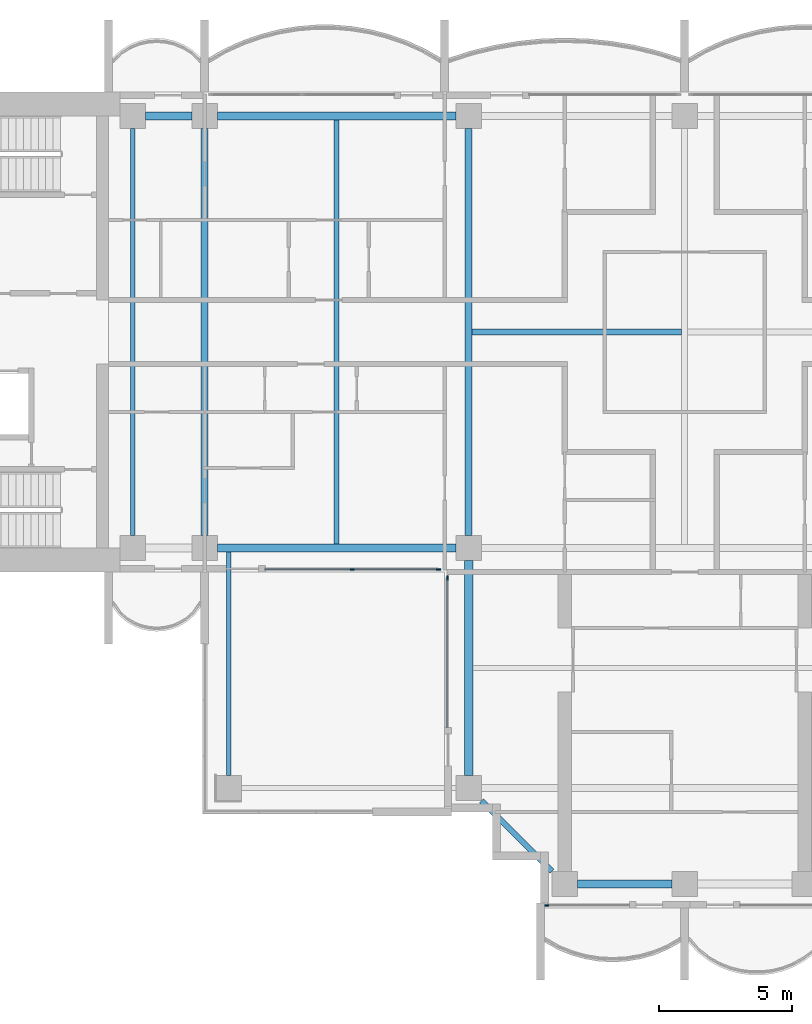
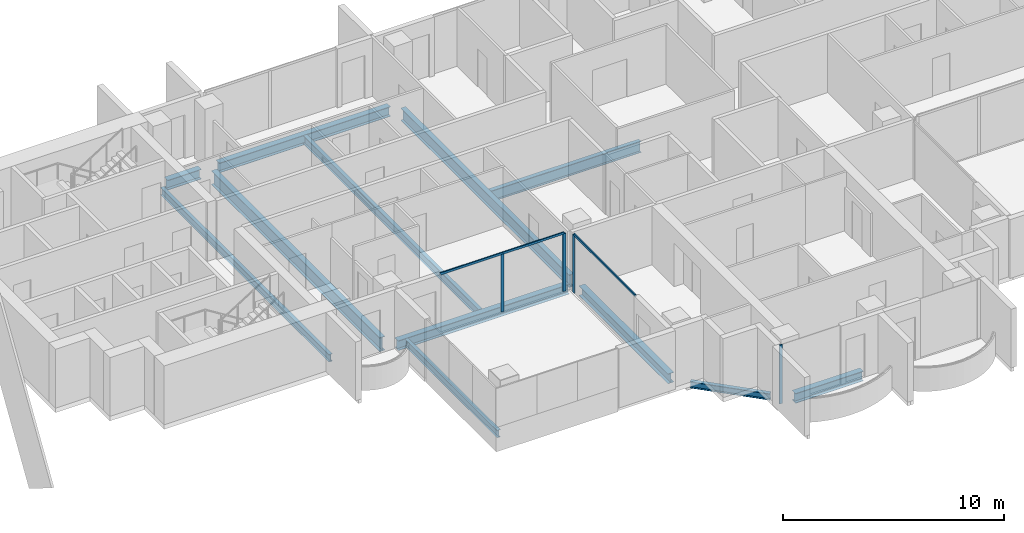
# One storey, part 2 of 17: 12 beams, 6 members, 3 elements without a shape of their own.
"""IFC4 building model written with IfcOpenShell, lengths in metres."""

from ifc_helpers import new_model, si_unit, direction, frame, origin, origin_2d, place, context, subcontext, project, spatial, rectangle, i_section, extrude, material, material_profile, profile_set, type_object, element, aggregate, save


model = new_model("IFC4")

# Units and contexts
model_context = context("Model", 3, precision=1e-05, world=origin(), true_north=direction((0.0, 1.0)))
body_context = subcontext(model_context, "Body", "Model", "MODEL_VIEW")
ifc_project = project(units=[si_unit("LENGTHUNIT", "METRE"), si_unit("AREAUNIT", "SQUARE_METRE"), si_unit("VOLUMEUNIT", "CUBIC_METRE"), si_unit("PLANEANGLEUNIT", "RADIAN"), si_unit("MASSUNIT", "GRAM", prefix="KILO")], contexts=[model_context])

# Site, building, storey
site_placement = place(None, origin())
site = spatial("IfcSite", under=ifc_project, at=site_placement, CompositionType="ELEMENT")
building_placement = place(site_placement, origin())
building = spatial("IfcBuilding", under=site, at=building_placement, Name="Perihelion Cross Residences", CompositionType="ELEMENT")
storey_placement = place(building_placement, frame((0.0, 0.0, 205.10009765625)))
storey = spatial("IfcBuildingStorey", under=building, at=storey_placement, Name="L51", CompositionType="ELEMENT", Elevation=205.10009765625)

# Curtain wall, members
ifc_material_1 = material(Name="Bronze anodised aluminium, tinted glazing", Category="aluminium")
curtain_wall_type = type_object("IfcCurtainWallType", Name="CW1", PredefinedType="NOTDEFINED", material=ifc_material_1)
curtain_wall_1_placement = place(storey_placement, origin())
curtain_wall_1 = element("IfcCurtainWall", 1, at=curtain_wall_1_placement, inside=storey, type_object=curtain_wall_type, Name="Curtain wall CW1 L51 west side south bay 2", PredefinedType="NOTDEFINED")
ifc_material_2 = material(Name="Bronze anodised aluminium", Category="aluminium")
ifc_material_profile_1 = material_profile(ifc_material_2, rectangle(XDim=0.06005859375, YDim=0.159912109375, at=origin_2d()), Name="CW1 mullion")
ifc_profile_set_1 = profile_set([ifc_material_profile_1], Name="Bronze anodised aluminium")
member_type_1 = type_object("IfcMemberType", Name="CW1 mullion", PredefinedType="MULLION", material=ifc_profile_set_1)
member_1_placement = place(storey_placement, frame((-12.46240234375, -8.89990234375, 0.0), z_axis=(0.0, 0.0, 1.0), x_axis=(0.0, 1.0, 0.0)))
member_1 = element("IfcMember", 2, at=member_1_placement, type_object=member_type_1, Name="CW1 mullion 2", PredefinedType="MULLION", context=body_context, shape_type="SweptSolid", body=[
    extrude(rectangle(XDim=0.06005859375, YDim=0.159912109375, at=origin_2d()), origin(), (0.0, 0.0, 1.0), 3.18994140625),
])
member_2_placement = place(storey_placement, frame((-9.22998046875, -8.89990234375, 0.0), z_axis=(0.0, 0.0, 1.0), x_axis=(0.0, 1.0, 0.0)))
member_2 = element("IfcMember", 3, at=member_2_placement, type_object=member_type_1, Name="CW1 mullion 3", PredefinedType="MULLION", context=body_context, shape_type="SweptSolid", body=[
    extrude(rectangle(XDim=0.06005859375, YDim=0.159912109375, at=origin_2d()), origin(), (0.0, 0.0, 1.0), 3.18994140625),
])

# Curtain wall, member
curtain_wall_2_placement = place(storey_placement, origin())
curtain_wall_2 = element("IfcCurtainWall", 4, at=curtain_wall_2_placement, inside=storey, type_object=curtain_wall_type, Name="Curtain wall CW1 L51 south side west bay 1", PredefinedType="NOTDEFINED")
member_3_placement = place(storey_placement, frame((-8.89990234375, -9.22998046875, 0.0), z_axis=(0.0, 0.0, 1.0), x_axis=(1.0, 0.0, 0.0)))
member_3 = element("IfcMember", 5, at=member_3_placement, type_object=member_type_1, Name="CW1 mullion 1", PredefinedType="MULLION", context=body_context, shape_type="SweptSolid", body=[
    extrude(rectangle(XDim=0.06005859375, YDim=0.159912109375, at=origin_2d()), origin(), (0.0, 0.0, 1.0), 3.18994140625),
])

curtain_wall_3_placement = place(storey_placement, origin())
curtain_wall_3 = element("IfcCurtainWall", 6, at=curtain_wall_3_placement, inside=storey, type_object=curtain_wall_type, Name="Curtain wall CW1 L51 south tip south bay 1", PredefinedType="NOTDEFINED")
member_4_placement = place(storey_placement, frame((-5.169921875, -21.5, 0.0), z_axis=(0.0, 0.0, 1.0), x_axis=(0.0, 1.0, 0.0)))
member_4 = element("IfcMember", 7, at=member_4_placement, type_object=member_type_1, Name="CW1 mullion 1", PredefinedType="MULLION", context=body_context, shape_type="SweptSolid", body=[
    extrude(rectangle(XDim=0.06005859375, YDim=0.159912109375, at=origin_2d()), origin(), (0.0, 0.0, 1.0), 3.25),
])
aggregate(curtain_wall_3, [member_4])

# Member
ifc_material_3 = material(Name="Bronze anodised aluminium", Category="aluminium")
ifc_material_profile_2 = material_profile(ifc_material_3, rectangle(XDim=0.06005859375, YDim=0.1201171875, at=origin_2d()), Name="CW1 transom")
ifc_profile_set_2 = profile_set([ifc_material_profile_2], Name="Bronze anodised aluminium")
member_type_2 = type_object("IfcMemberType", Name="CW1 transom", PredefinedType="USERDEFINED", material=ifc_profile_set_2)
member_5_placement = place(storey_placement, frame((-15.72509765625, -8.89990234375, 3.219970703125), z_axis=(1.0, 0.0, 0.0), x_axis=(0.0, 1.0, 0.0)))
member_5 = element("IfcMember", 8, at=member_5_placement, type_object=member_type_2, Name="CW1 head transom", ObjectType="TRANSOM", PredefinedType="USERDEFINED", context=body_context, shape_type="SweptSolid", body=[
    extrude(rectangle(XDim=0.06005859375, YDim=0.1201171875, at=origin_2d()), origin(), (0.0, 0.0, 1.0), 6.4951171875),
])

aggregate(curtain_wall_1, [member_1, member_2, member_5])

member_6_placement = place(storey_placement, frame((-8.89990234375, -9.22998046875, 3.219970703125), z_axis=(0.0, -1.0, 0.0), x_axis=(1.0, 0.0, 0.0)))
member_6 = element("IfcMember", 9, at=member_6_placement, type_object=member_type_2, Name="CW1 head transom", ObjectType="TRANSOM", PredefinedType="USERDEFINED", context=body_context, shape_type="SweptSolid", body=[
    extrude(rectangle(XDim=0.06005859375, YDim=0.1201171875, at=origin_2d()), origin(), (0.0, 0.0, 1.0), 5.594970703125),
])

aggregate(curtain_wall_2, [member_3, member_6])

# Beams
ifc_material_4 = material(Name="Steel S355", Category="steel")
ifc_material_profile_3 = material_profile(ifc_material_4, i_section(OverallWidth=0.177978515625, OverallDepth=0.406005859375, WebThickness=0.0078125, FlangeThickness=0.0126953125, at=origin_2d()), Name="W410x60")
ifc_profile_set_3 = profile_set([ifc_material_profile_3], Name="Steel S355")
beam_type_1 = type_object("IfcBeamType", Name="Core edge beam W410x60", PredefinedType="BEAM", material=ifc_profile_set_3)
beam_1_placement = place(storey_placement, frame((-17.10009765625, -8.256103515625, -0.453125), z_axis=(0.0, -1.0, 0.0), x_axis=(1.0, 0.0, 0.0)))
element("IfcBeam", 10, at=beam_1_placement, inside=storey, type_object=beam_type_1, Name="Core edge beam TB2 L51 corner no. 1", PredefinedType="BEAM", context=body_context, shape_type="SweptSolid", body=[
    extrude(i_section(OverallWidth=0.177978515625, OverallDepth=0.406005859375, WebThickness=0.0078125, FlangeThickness=0.0126953125, at=origin_2d()), origin(), (0.0, 0.0, 1.0), 8.368896484375),
])
ifc_material_5 = material(Name="Steel S355", Category="steel")
ifc_material_profile_4 = material_profile(ifc_material_5, i_section(OverallWidth=0.180908203125, OverallDepth=0.4169921875, WebThickness=0.010986328125, FlangeThickness=0.018310546875, at=origin_2d()), Name="W410x85")
ifc_profile_set_4 = profile_set([ifc_material_profile_4], Name="Steel S355")
beam_type_2 = type_object("IfcBeamType", Name="Core edge beam W410x85", PredefinedType="BEAM", material=ifc_profile_set_4)
beam_2_placement = place(storey_placement, frame((-20.699951171875, -7.625, -0.45849609375), z_axis=(0.0, 1.0, 0.0), x_axis=(-1.0, 0.0, 0.0)))
element("IfcBeam", 11, at=beam_2_placement, inside=storey, type_object=beam_type_2, Name="Core edge beam TB6 L51 no. 1", PredefinedType="BEAM", context=body_context, shape_type="SweptSolid", body=[
    extrude(i_section(OverallWidth=0.180908203125, OverallDepth=0.4169921875, WebThickness=0.010986328125, FlangeThickness=0.018310546875, at=origin_2d()), origin(), (0.0, 0.0, 1.0), 15.25),
])
ifc_material_6 = material(Name="Steel S355", Category="steel")
ifc_material_profile_5 = material_profile(ifc_material_6, i_section(OverallWidth=0.31201171875, OverallDepth=0.5439453125, WebThickness=0.0126953125, FlangeThickness=0.020263671875, at=origin_2d()), Name="W530x150")
ifc_profile_set_5 = profile_set([ifc_material_profile_5], Name="Steel S355")
beam_type_3 = type_object("IfcBeamType", Name="Edge beam W530x150", PredefinedType="SPANDREL", material=ifc_profile_set_5)
beam_3_placement = place(storey_placement, frame((-8.574951171875, 8.10009765625, -0.522216796875), z_axis=(-1.0, 0.0, 0.0), x_axis=(0.0, -1.0, 0.0)))
element("IfcBeam", 12, at=beam_3_placement, inside=storey, type_object=beam_type_3, Name="Edge beam SB4 L51 no. 6", PredefinedType="SPANDREL", context=body_context, shape_type="SweptSolid", body=[
    extrude(i_section(OverallWidth=0.31201171875, OverallDepth=0.5439453125, WebThickness=0.0126953125, FlangeThickness=0.020263671875, at=origin_2d()), origin(), (0.0, 0.0, 1.0), 8.949951171875),
])
beam_4_placement = place(storey_placement, frame((-18.47509765625, 8.10009765625, -0.522216796875), z_axis=(-1.0, 0.0, 0.0), x_axis=(0.0, -1.0, 0.0)))
element("IfcBeam", 13, at=beam_4_placement, inside=storey, type_object=beam_type_3, Name="Edge beam SB4 L51 no. 2", PredefinedType="SPANDREL", context=body_context, shape_type="SweptSolid", body=[
    extrude(i_section(OverallWidth=0.31201171875, OverallDepth=0.5439453125, WebThickness=0.0126953125, FlangeThickness=0.020263671875, at=origin_2d()), origin(), (0.0, 0.0, 1.0), 1.75),
])
beam_5_placement = place(storey_placement, frame((-17.52490234375, -8.10009765625, -0.522216796875), z_axis=(1.0, 0.0, 0.0), x_axis=(0.0, 1.0, 0.0)))
element("IfcBeam", 14, at=beam_5_placement, inside=storey, type_object=beam_type_3, Name="Edge beam SB4 L51 no. 1", PredefinedType="SPANDREL", context=body_context, shape_type="SweptSolid", body=[
    extrude(i_section(OverallWidth=0.31201171875, OverallDepth=0.5439453125, WebThickness=0.0126953125, FlangeThickness=0.020263671875, at=origin_2d()), origin(), (0.0, 0.0, 1.0), 8.949951171875),
])
beam_6_placement = place(storey_placement, frame((-8.10009765625, -8.574951171875, -0.522216796875), z_axis=(0.0, -1.0, 0.0), x_axis=(1.0, 0.0, 0.0)))
element("IfcBeam", 15, at=beam_6_placement, inside=storey, type_object=beam_type_3, Name="Edge beam SB4 L51 no. 5", PredefinedType="SPANDREL", context=body_context, shape_type="SweptSolid", body=[
    extrude(i_section(OverallWidth=0.31201171875, OverallDepth=0.5439453125, WebThickness=0.0126953125, FlangeThickness=0.020263671875, at=origin_2d()), origin(), (0.0, 0.0, 1.0), 8.050048828125),
])
beam_7_placement = place(storey_placement, frame((-4.02490234375, -20.699951171875, -0.522216796875), z_axis=(1.0, 0.0, 0.0), x_axis=(0.0, 1.0, 0.0)))
element("IfcBeam", 16, at=beam_7_placement, inside=storey, type_object=beam_type_3, Name="Edge beam SB4 L51 no. 4", PredefinedType="SPANDREL", context=body_context, shape_type="SweptSolid", body=[
    extrude(i_section(OverallWidth=0.31201171875, OverallDepth=0.5439453125, WebThickness=0.0126953125, FlangeThickness=0.020263671875, at=origin_2d()), origin(), (0.0, 0.0, 1.0), 3.5498046875),
])
ifc_material_7 = material(Name="Steel S355", Category="steel")
ifc_material_profile_6 = material_profile(ifc_material_7, i_section(OverallWidth=0.26708984375, OverallDepth=0.77001953125, WebThickness=0.015625, FlangeThickness=0.025390625, at=origin_2d()), Name="W760x196")
ifc_profile_set_6 = profile_set([ifc_material_profile_6], Name="Steel S355")
beam_type_4 = type_object("IfcBeamType", Name="Floor girder W760x196", PredefinedType="BEAM", material=ifc_profile_set_6)
beam_8_placement = place(storey_placement, frame((-18.0, -7.625, -0.635009765625), z_axis=(0.0, 1.0, 0.0), x_axis=(-1.0, 0.0, 0.0)))
element("IfcBeam", 17, at=beam_8_placement, inside=storey, type_object=beam_type_4, Name="Girder G4 L51 no. 1", PredefinedType="BEAM", context=body_context, shape_type="SweptSolid", body=[
    extrude(i_section(OverallWidth=0.26708984375, OverallDepth=0.77001953125, WebThickness=0.015625, FlangeThickness=0.025390625, at=origin_2d()), origin(), (0.0, 0.0, 1.0), 15.25),
])
ifc_material_8 = material(Name="Steel S355", Category="steel")
ifc_material_profile_7 = material_profile(ifc_material_8, i_section(OverallWidth=0.19091796875, OverallDepth=0.45703125, WebThickness=0.009033203125, FlangeThickness=0.014404296875, at=origin_2d()), Name="W460x74")
ifc_profile_set_7 = profile_set([ifc_material_profile_7], Name="Steel S355")
beam_type_5 = type_object("IfcBeamType", Name="Floor joist W460x74", PredefinedType="JOIST", material=ifc_profile_set_7)
beam_9_placement = place(storey_placement, frame((-13.050048828125, -7.944091796875, -0.478515625), z_axis=(0.0, 1.0, 0.0), x_axis=(-1.0, 0.0, 0.0)))
element("IfcBeam", 18, at=beam_9_placement, inside=storey, type_object=beam_type_5, Name="Joist J5 L51 no. 1", PredefinedType="JOIST", context=body_context, shape_type="SweptSolid", body=[
    extrude(i_section(OverallWidth=0.19091796875, OverallDepth=0.45703125, WebThickness=0.009033203125, FlangeThickness=0.014404296875, at=origin_2d()), origin(), (0.0, 0.0, 1.0), 15.88818359375),
])
ifc_material_9 = material(Name="Steel S355", Category="steel")
ifc_material_profile_8 = material_profile(ifc_material_9, i_section(OverallWidth=0.22900390625, OverallDepth=0.612060546875, WebThickness=0.011962890625, FlangeThickness=0.01953125, at=origin_2d()), Name="W610x125")
ifc_profile_set_8 = profile_set([ifc_material_profile_8], Name="Steel S355")
beam_type_6 = type_object("IfcBeamType", Name="Hub cross beam W610x125", PredefinedType="BEAM", material=ifc_profile_set_8)
beam_10_placement = place(storey_placement, frame((-7.971435546875, 0.0, -0.55615234375), z_axis=(1.0, 0.0, 0.0), x_axis=(0.0, 1.0, 0.0)))
element("IfcBeam", 19, at=beam_10_placement, inside=storey, type_object=beam_type_6, Name="Hub cross beam XB4 L51 1 no. 1", PredefinedType="BEAM", context=body_context, shape_type="SweptSolid", body=[
    extrude(i_section(OverallWidth=0.22900390625, OverallDepth=0.612060546875, WebThickness=0.011962890625, FlangeThickness=0.01953125, at=origin_2d()), origin(), (0.0, 0.0, 1.0), 7.85693359375),
])
ifc_material_10 = material(Name="Steel S355", Category="steel")
ifc_material_profile_9 = material_profile(ifc_material_10, i_section(OverallWidth=0.257080078125, OverallDepth=0.693115234375, WebThickness=0.014404296875, FlangeThickness=0.023681640625, at=origin_2d()), Name="W690x170")
ifc_profile_set_9 = profile_set([ifc_material_profile_9], Name="Steel S355")
beam_type_7 = type_object("IfcBeamType", Name="Hub ring girder W690x170", PredefinedType="BEAM", material=ifc_profile_set_9)
beam_11_placement = place(storey_placement, frame((-8.10009765625, 7.625, -0.5966796875), z_axis=(0.0, -1.0, 0.0), x_axis=(1.0, 0.0, 0.0)))
element("IfcBeam", 20, at=beam_11_placement, inside=storey, type_object=beam_type_7, Name="Hub ring girder RG4 L51 no. 2", PredefinedType="BEAM", context=body_context, shape_type="SweptSolid", body=[
    extrude(i_section(OverallWidth=0.257080078125, OverallDepth=0.693115234375, WebThickness=0.014404296875, FlangeThickness=0.023681640625, at=origin_2d()), origin(), (0.0, 0.0, 1.0), 15.25),
])
ifc_material_11 = material(Name="Steel S355", Category="steel")
ifc_material_profile_10 = material_profile(ifc_material_11, i_section(OverallWidth=0.205078125, OverallDepth=0.35302734375, WebThickness=0.009521484375, FlangeThickness=0.016845703125, at=origin_2d()), Name="W360x79")
ifc_profile_set_10 = profile_set([ifc_material_profile_10], Name="Steel S355")
beam_type_8 = type_object("IfcBeamType", Name="Serration edge beam W360x79", PredefinedType="BEAM", material=ifc_profile_set_10)
beam_12_placement = place(storey_placement, frame((-7.625, -17.574951171875, -0.426513671875), z_axis=(0.70707420838, -0.707139352493, 0.0), x_axis=(0.707139352493, 0.70707420838, 0.0)))
element("IfcBeam", 21, at=beam_12_placement, inside=storey, type_object=beam_type_8, Name="Serration edge beam EB4 L51 no. 1", PredefinedType="BEAM", context=body_context, shape_type="SweptSolid", body=[
    extrude(i_section(OverallWidth=0.205078125, OverallDepth=0.35302734375, WebThickness=0.009521484375, FlangeThickness=0.016845703125, at=origin_2d()), origin(), (0.0, 0.0, 1.0), 3.747802734375),
])

save(model, "model.ifc")
